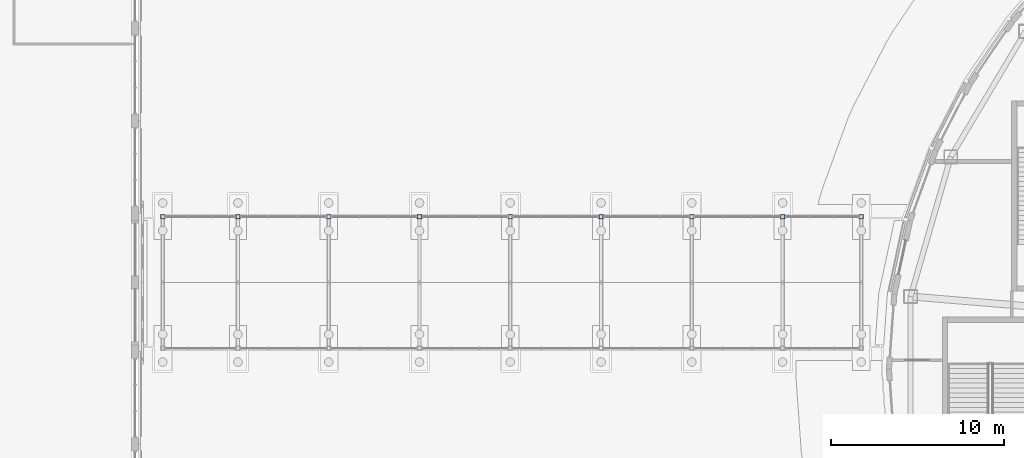
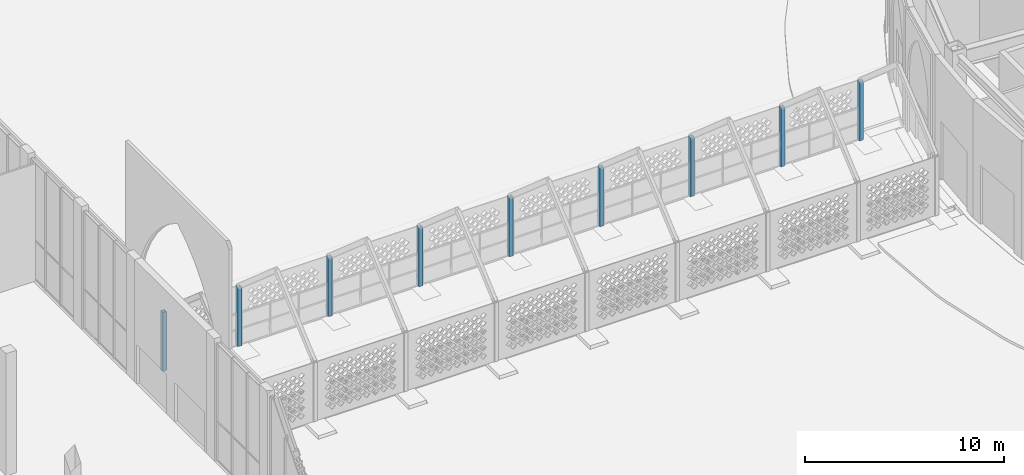
# One storey, part 10 of 79: 9 columns.
"""IFC4 building model written with IfcOpenShell, lengths in metres."""

from ifc_helpers import new_model, si_unit, direction, frame, origin, origin_2d, place, context, subcontext, project, spatial, hollow_rectangle, extrude, material, material_profile, profile_set, type_object, element, save


model = new_model("IFC4")

# Units and contexts
model_context = context("Model", 3, precision=1e-05, world=origin(), true_north=direction((0.0, 1.0)))
body_context = subcontext(model_context, "Body", "Model", "MODEL_VIEW")
ifc_project = project(units=[si_unit("LENGTHUNIT", "METRE"), si_unit("AREAUNIT", "SQUARE_METRE"), si_unit("VOLUMEUNIT", "CUBIC_METRE"), si_unit("PLANEANGLEUNIT", "RADIAN"), si_unit("MASSUNIT", "GRAM", prefix="KILO")], contexts=[model_context])

# Site, building, storey
site_placement = place(None, origin())
site = spatial("IfcSite", under=ifc_project, at=site_placement, CompositionType="ELEMENT")
building_placement = place(site_placement, origin())
building = spatial("IfcBuilding", under=site, at=building_placement, Name="Noorbagh Ring Tower", CompositionType="ELEMENT")
storey_placement = place(building_placement, origin())
storey = spatial("IfcBuildingStorey", under=building, at=storey_placement, Name="L00", CompositionType="ELEMENT", Elevation=0.0)

# Columns
ifc_material = material(Name="Steel S355", Category="steel")
ifc_material_profile = material_profile(ifc_material, hollow_rectangle(XDim=0.25, YDim=0.25, WallThickness=0.01611328125, InnerFilletRadius=0.01611328125, OuterFilletRadius=0.0400390625, at=origin_2d()), Name="SHS250x250x16")
ifc_profile_set = profile_set([ifc_material_profile], Name="Steel S355")
column_type = type_object("IfcColumnType", Name="AR-COL", PredefinedType="COLUMN", material=ifc_profile_set)
for number, where, z_axis, x_axis, name in (
    (1, (-93.60009765625, 8.800048828125, 0.0), (0.0, 0.0, 1.0), (1.0, 0.0, 0.0), "L00/ar-col/1N"),
    (2, (-89.25, 8.800048828125, 0.0), (0.0, 0.0, 1.0), (1.0, 0.0, 0.0), "L00/ar-col/2N"),
    (3, (-84.0, 8.800048828125, 0.0), (0.0, 0.0, 1.0), (1.0, 0.0, 0.0), "L00/ar-col/3N"),
    (4, (-78.75, 8.800048828125, 0.0), (0.0, 0.0, 1.0), (1.0, 0.0, 0.0), "L00/ar-col/4N"),
    (5, (-73.5, 8.800048828125, 0.0), (0.0, 0.0, 1.0), (1.0, 0.0, 0.0), "L00/ar-col/5N"),
    (6, (-68.25, 8.800048828125, 0.0), (0.0, 0.0, 1.0), (1.0, 0.0, 0.0), "L00/ar-col/6N"),
    (7, (-63.0, 8.800048828125, 0.0), (0.0, 0.0, 1.0), (1.0, 0.0, 0.0), "L00/ar-col/7N"),
    (8, (-57.75, 8.800048828125, 0.0), (0.0, 0.0, 1.0), (1.0, 0.0, 0.0), "L00/ar-col/8N"),
    (9, (-53.199951171875, 8.800048828125, 0.0), (0.0, 0.0, 1.0), (1.0, 0.0, 0.0), "L00/ar-col/9N"),
):
    element("IfcColumn", number, at=place(storey_placement, frame(where, z_axis=z_axis, x_axis=x_axis)), inside=storey, type_object=column_type, Name=name, PredefinedType="COLUMN", context=body_context, shape_type="SweptSolid", body=[
        extrude(hollow_rectangle(XDim=0.25, YDim=0.25, WallThickness=0.01611328125, InnerFilletRadius=0.01611328125, OuterFilletRadius=0.0400390625, at=origin_2d()), origin(), (0.0, 0.0, 1.0), 3.60009765625),
    ])

save(model, "model.ifc")
